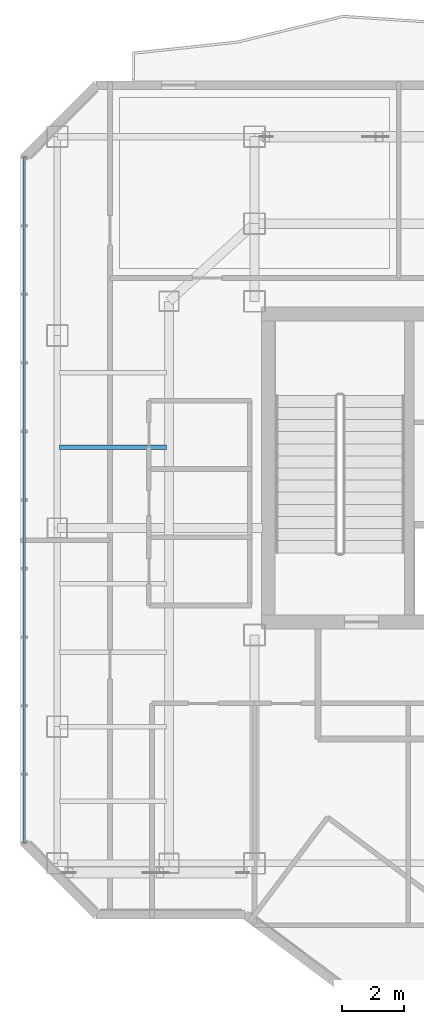
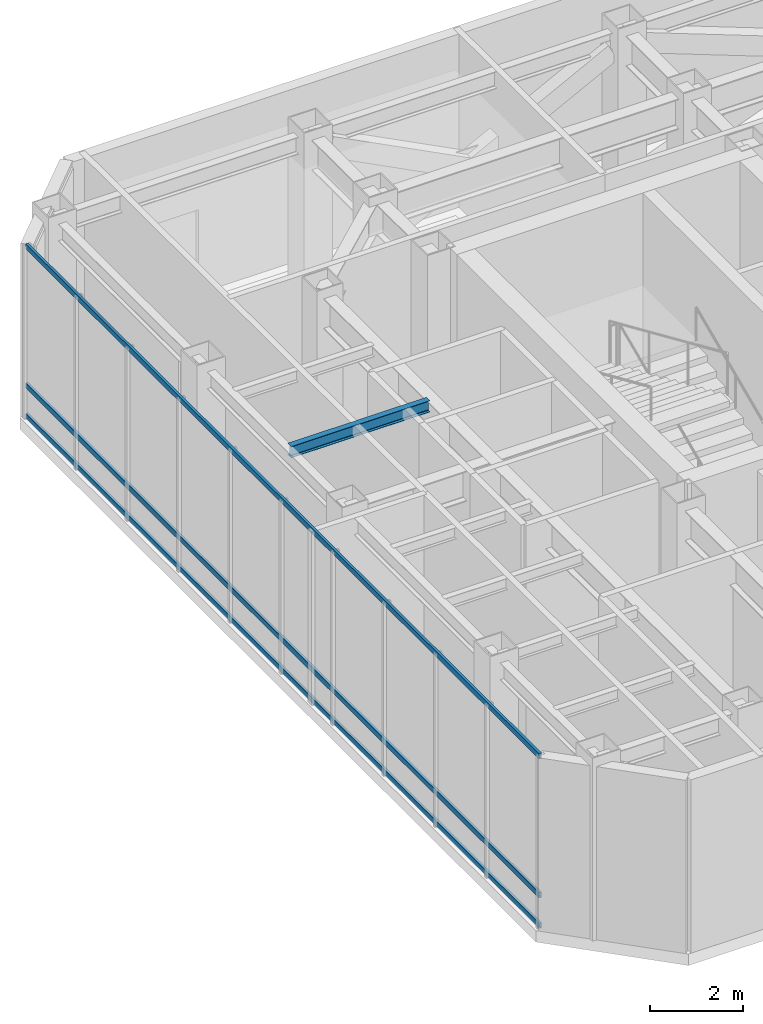
# One storey, part 7 of 21: 3 members, 1 beam, 1 element without a shape of its own.
"""IFC4 building model written with IfcOpenShell, lengths in metres."""

from ifc_helpers import new_model, si_unit, direction, frame, origin, origin_2d, place, context, subcontext, project, spatial, hollow_rectangle, i_section, extrude, material, layer, layer_set, material_profile, profile_set, type_object, element, aggregate, save


model = new_model("IFC4")

# Units and contexts
model_context = context("Model", 3, precision=1e-05, world=origin(), true_north=direction((0.0, 1.0)))
body_context = subcontext(model_context, "Body", "Model", "MODEL_VIEW")
ifc_project = project(units=[si_unit("LENGTHUNIT", "METRE"), si_unit("AREAUNIT", "SQUARE_METRE"), si_unit("VOLUMEUNIT", "CUBIC_METRE"), si_unit("PLANEANGLEUNIT", "RADIAN"), si_unit("MASSUNIT", "GRAM", prefix="KILO")], contexts=[model_context])

# Site, building, storey
site_placement = place(None, origin())
site = spatial("IfcSite", under=ifc_project, at=site_placement, CompositionType="ELEMENT")
building_placement = place(site_placement, origin())
building = spatial("IfcBuilding", under=site, at=building_placement, Name="Hatsunagi Terrace Concourse", CompositionType="ELEMENT")
storey_placement = place(building_placement, frame((0.0, 0.0, 234.75)))
storey = spatial("IfcBuildingStorey", under=building, at=storey_placement, Name="L62", CompositionType="ELEMENT", Elevation=234.75)

# Curtain wall, members
ifc_material_1 = material(Name="Anodised Aluminium Alloy 6063-T5", Category="aluminium")
ifc_layer = layer(ifc_material_1, 0.199951171875)
ifc_layer_set = layer_set([ifc_layer], Name="OfficeZone2_CW04")
curtain_wall_type = type_object("IfcCurtainWallType", Name="OfficeZone2_CW04", PredefinedType="NOTDEFINED", material=ifc_layer_set)
curtain_wall_placement = place(storey_placement, origin())
curtain_wall = element("IfcCurtainWall", 1, at=curtain_wall_placement, inside=storey, type_object=curtain_wall_type, Name="Unitised Curtain Wall CW-04 CW-L62-08", PredefinedType="NOTDEFINED")
ifc_material_2 = material(Name="Anodised Aluminium Alloy 6063-T5", Category="aluminium")
ifc_material_profile_1 = material_profile(ifc_material_2, hollow_rectangle(XDim=0.06494140625, YDim=0.139892578125, WallThickness=0.00390625, at=origin_2d()), Name="ALU-TRN-140x65x4")
ifc_profile_set_1 = profile_set([ifc_material_profile_1], Name="Anodised Aluminium Alloy 6063-T5")
member_type = type_object("IfcMemberType", Name="CurtainWallTransom_140x65", PredefinedType="USERDEFINED", material=ifc_profile_set_1)
member_1_placement = place(storey_placement, frame((18.139892578125, 25.85791015625, 0.050048828125), z_axis=(0.0, 1.0, 0.0), x_axis=(-1.0, 0.0, 0.0)))
member_1 = element("IfcMember", 2, at=member_1_placement, type_object=member_type, Name="Curtain Wall Transom TRN-02", ObjectType="TRANSOM", PredefinedType="USERDEFINED", context=body_context, shape_type="SweptSolid", body=[
    extrude(hollow_rectangle(XDim=0.06494140625, YDim=0.139892578125, WallThickness=0.00390625, at=origin_2d()), origin(), (0.0, 0.0, 1.0), 22.083984375),
])
member_2_placement = place(storey_placement, frame((18.139892578125, 25.85791015625, 0.85009765625), z_axis=(0.0, 1.0, 0.0), x_axis=(-1.0, 0.0, 0.0)))
member_2 = element("IfcMember", 3, at=member_2_placement, type_object=member_type, Name="Curtain Wall Transom TRN-02", ObjectType="TRANSOM", PredefinedType="USERDEFINED", context=body_context, shape_type="SweptSolid", body=[
    extrude(hollow_rectangle(XDim=0.06494140625, YDim=0.139892578125, WallThickness=0.00390625, at=origin_2d()), origin(), (0.0, 0.0, 1.0), 22.083984375),
])
member_3_placement = place(storey_placement, frame((18.139892578125, 25.85791015625, 4.5), z_axis=(0.0, 1.0, 0.0), x_axis=(-1.0, 0.0, 0.0)))
member_3 = element("IfcMember", 4, at=member_3_placement, type_object=member_type, Name="Curtain Wall Transom TRN-02", ObjectType="TRANSOM", PredefinedType="USERDEFINED", context=body_context, shape_type="SweptSolid", body=[
    extrude(hollow_rectangle(XDim=0.06494140625, YDim=0.139892578125, WallThickness=0.00390625, at=origin_2d()), origin(), (0.0, 0.0, 1.0), 22.083984375),
])
aggregate(curtain_wall, [member_1, member_2, member_3])

# Beam
ifc_material_3 = material(Name="Steel SN490B", Category="steel")
ifc_material_profile_2 = material_profile(ifc_material_3, i_section(OverallWidth=0.14990234375, OverallDepth=0.300048828125, WebThickness=0.006591796875, FlangeThickness=0.009033203125, FilletRadius=0.010986328125, at=origin_2d()), Name="H-300x150x6.5x9")
ifc_profile_set_2 = profile_set([ifc_material_profile_2], Name="Steel SN490B")
beam_type = type_object("IfcBeamType", Name="OfficeJoist_H_300x150", PredefinedType="JOIST", material=ifc_profile_set_2)
beam_placement = place(storey_placement, frame((19.264892578125, 38.60009765625, 4.39990234375), z_axis=(1.0, 0.0, 0.0), x_axis=(0.0, 1.0, 0.0)))
element("IfcBeam", 5, at=beam_placement, inside=storey, type_object=beam_type, Name="Beam J-03 J-L62-W-19-386", PredefinedType="JOIST", context=body_context, shape_type="SweptSolid", body=[
    extrude(i_section(OverallWidth=0.14990234375, OverallDepth=0.300048828125, WebThickness=0.006591796875, FlangeThickness=0.009033203125, FilletRadius=0.010986328125, at=origin_2d()), origin(), (0.0, 0.0, 1.0), 3.4501953125),
])

save(model, "model.ifc")
